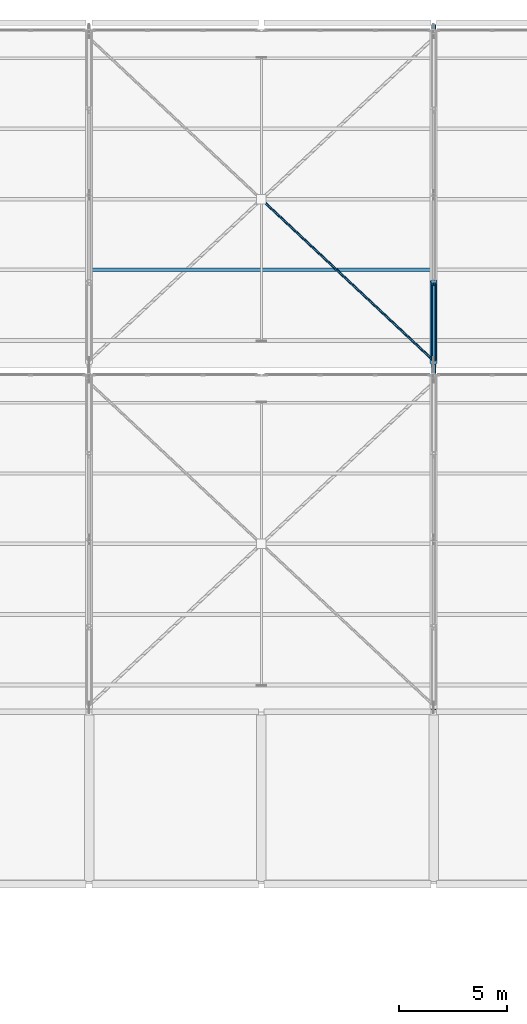
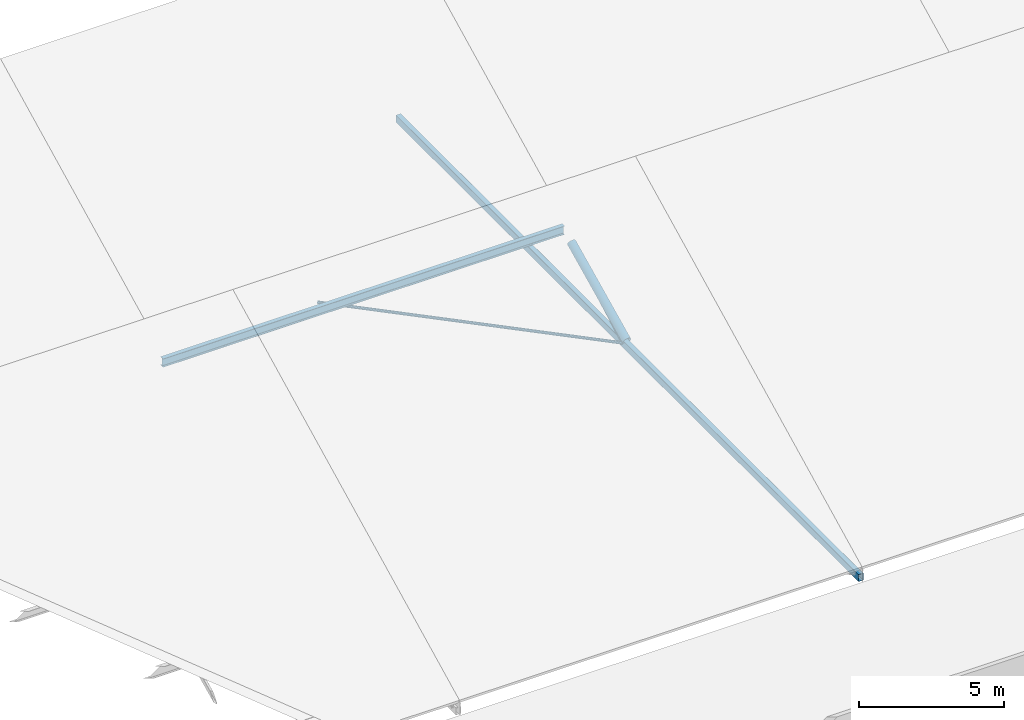
# One storey, part 49 of 137: 4 members, 1 beam.
"""IFC4 building model written with IfcOpenShell, lengths in metres."""

from ifc_helpers import new_model, si_unit, direction, frame, origin, origin_2d, place, context, subcontext, project, spatial, hollow_rectangle, hollow_circle, i_section, extrude, material, material_profile, profile_set, type_object, element, save


model = new_model("IFC4")

# Units and contexts
model_context = context("Model", 3, precision=1e-05, world=origin(), true_north=direction((0.0, 1.0)))
body_context = subcontext(model_context, "Body", "Model", "MODEL_VIEW")
ifc_project = project(units=[si_unit("LENGTHUNIT", "METRE"), si_unit("AREAUNIT", "SQUARE_METRE"), si_unit("VOLUMEUNIT", "CUBIC_METRE"), si_unit("PLANEANGLEUNIT", "RADIAN"), si_unit("MASSUNIT", "GRAM", prefix="KILO")], contexts=[model_context])

# Site, building, storey
site_placement = place(None, origin())
site = spatial("IfcSite", under=ifc_project, at=site_placement, CompositionType="ELEMENT")
building_placement = place(site_placement, origin())
building = spatial("IfcBuilding", under=site, at=building_placement, Name="Jelvoka-Kovrelna Polytechnic", CompositionType="ELEMENT")
storey_placement = place(building_placement, frame((0.0, 0.0, 9.60009765625)))
storey = spatial("IfcBuildingStorey", under=building, at=storey_placement, Name="L03", CompositionType="ELEMENT", Elevation=9.60009765625)

# Members
ifc_material_1 = material(Name="Structural steel S355J2H", Category="steel")
ifc_material_profile_1 = material_profile(ifc_material_1, hollow_circle(Radius=0.05712890625, WallThickness=0.00634765625, at=origin_2d()), Name="114.3x6.3 CHS")
ifc_profile_set_1 = profile_set([ifc_material_profile_1], Name="Structural steel S355J2H")
member_type_1 = type_object("IfcMemberType", Name="Member_Brace_CHS114", PredefinedType="BRACE", material=ifc_profile_set_1)
member_1_placement = place(storey_placement, frame((128.065673828125, 111.738525390625, 0.14990234375), z_axis=(0.729679522085, -0.683789291412, 0.0), x_axis=(0.683789291412, 0.729679522085, 0.0)))
element("IfcMember", 1, at=member_1_placement, inside=storey, type_object=member_type_1, Name="Sawtooth roof split X-brace half-diagonal 0214B", PredefinedType="BRACE", context=body_context, shape_type="SweptSolid", body=[
    extrude(hollow_circle(Radius=0.05712890625, WallThickness=0.00634765625, at=origin_2d()), origin(), (0.0, 0.0, 1.0), 10.80517578125),
])
ifc_material_2 = material(Name="Structural steel S355J2H", Category="steel")
ifc_material_profile_2 = material_profile(ifc_material_2, hollow_circle(Radius=0.109619140625, WallThickness=0.008056640625, at=origin_2d()), Name="219.1x8.0 CHS")
ifc_profile_set_2 = profile_set([ifc_material_profile_2], Name="Structural steel S355J2H")
member_type_2 = type_object("IfcMemberType", Name="Member_Brace_CHS219", PredefinedType="BRACE", material=ifc_profile_set_2)
member_2_placement = place(storey_placement, frame((136.0, 104.340087890625, 0.14990234375), z_axis=(0.0, 0.878084029324, 0.478506465418), x_axis=(-1.0, 0.0, 0.0)))
element("IfcMember", 2, at=member_2_placement, inside=storey, type_object=member_type_2, Name="Sawtooth truss 4 diagonal web 2.1", PredefinedType="BRACE", context=body_context, shape_type="SweptSolid", body=[
    extrude(hollow_circle(Radius=0.109619140625, WallThickness=0.008056640625, at=origin_2d()), origin(), (0.0, 0.0, 1.0), 4.0087890625),
])
ifc_material_3 = material(Name="Structural steel S355J2H", Category="steel")
ifc_material_profile_3 = material_profile(ifc_material_3, hollow_circle(Radius=0.161865234375, WallThickness=0.010009765625, at=origin_2d()), Name="323.9x10.0 CHS")
ifc_profile_set_3 = profile_set([ifc_material_profile_3], Name="Structural steel S355J2H")
member_type_3 = type_object("IfcMemberType", Name="Member_Chord_CHS324", PredefinedType="CHORD", material=ifc_profile_set_3)
member_3_placement = place(storey_placement, frame((136.0, 104.199951171875, 0.31640625), z_axis=(0.0, 0.900803851837, 0.434226231952), x_axis=(-1.0, 0.0, 0.0)))
element("IfcMember", 3, at=member_3_placement, inside=storey, type_object=member_type_3, Name="Sawtooth truss 4 top chord 2.1", PredefinedType="CHORD", context=body_context, shape_type="SweptSolid", body=[
    extrude(hollow_circle(Radius=0.161865234375, WallThickness=0.010009765625, at=origin_2d()), origin(), (0.0, 0.0, 1.0), 4.218505859375),
])
ifc_material_4 = material(Name="Structural steel S355J2H", Category="steel")
ifc_material_profile_4 = material_profile(ifc_material_4, hollow_rectangle(XDim=0.199951171875, YDim=0.300048828125, WallThickness=0.010009765625, InnerFilletRadius=0.010009765625, OuterFilletRadius=0.014892578125, at=origin_2d()), Name="300x200x10.0 RHS")
ifc_profile_set_4 = profile_set([ifc_material_profile_4], Name="Structural steel S355J2H")
member_type_4 = type_object("IfcMemberType", Name="Member_Chord_RHS300", PredefinedType="CHORD", material=ifc_profile_set_4)
member_4_placement = place(storey_placement, frame((136.0, 88.080078125, 0.14990234375), z_axis=(0.0, 1.0, 0.0), x_axis=(-1.0, 0.0, 0.0)))
element("IfcMember", 4, at=member_4_placement, inside=storey, type_object=member_type_4, Name="Sawtooth truss 4 continuous bottom chord", PredefinedType="CHORD", context=body_context, shape_type="SweptSolid", body=[
    extrude(hollow_rectangle(XDim=0.199951171875, YDim=0.300048828125, WallThickness=0.010009765625, InnerFilletRadius=0.010009765625, OuterFilletRadius=0.014892578125, at=origin_2d()), origin(), (0.0, 0.0, 1.0), 31.83984375),
])

# Beam
ifc_material_5 = material(Name="Structural steel S355JR", Category="steel")
ifc_material_profile_5 = material_profile(ifc_material_5, i_section(OverallWidth=0.17138671875, OverallDepth=0.35498046875, WebThickness=0.00732421875, FlangeThickness=0.011474609375, FilletRadius=0.01025390625, at=origin_2d()), Name="356x171x51 UB")
ifc_profile_set_5 = profile_set([ifc_material_profile_5], Name="Structural steel S355JR")
beam_type = type_object("IfcBeamType", Name="Purlin_Steel_UB356", PredefinedType="JOIST", material=ifc_profile_set_5)
beam_placement = place(storey_placement, frame((120.02001953125, 108.52392578125, 2.400634765625), z_axis=(1.0, 0.0, 0.0), x_axis=(0.0, 1.0, 0.0)))
element("IfcBeam", 5, at=beam_placement, inside=storey, type_object=beam_type, Name="Sawtooth roof purlin 027", PredefinedType="JOIST", context=body_context, shape_type="SweptSolid", body=[
    extrude(i_section(OverallWidth=0.17138671875, OverallDepth=0.35498046875, WebThickness=0.00732421875, FlangeThickness=0.011474609375, FilletRadius=0.01025390625, at=origin_2d()), origin(), (0.0, 0.0, 1.0), 15.9599609375),
])

save(model, "model.ifc")
